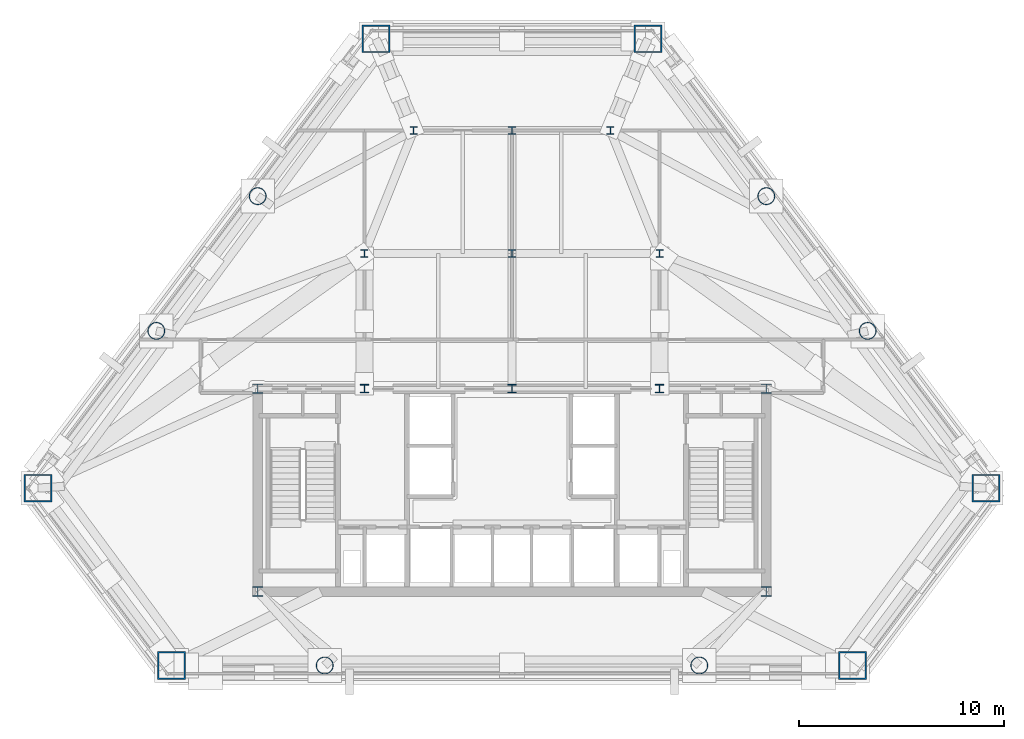
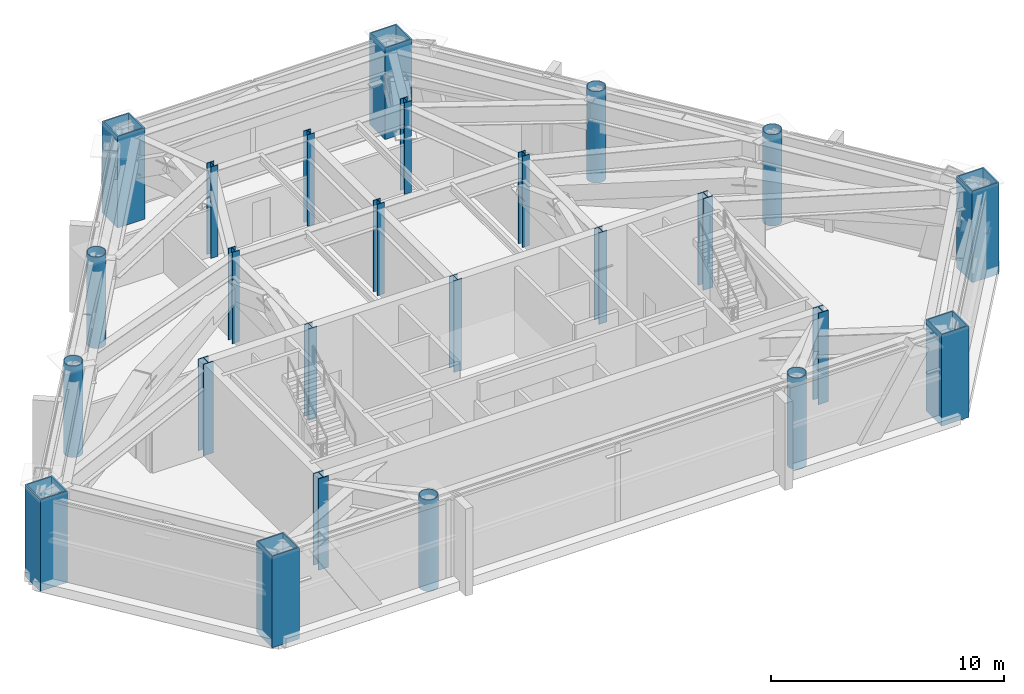
# One storey, part 1 of 9: 25 columns.
"""IFC4 building model written with IfcOpenShell, lengths in metres."""

from ifc_helpers import new_model, si_unit, direction, frame, origin, origin_2d, place, context, subcontext, project, spatial, hollow_rectangle, hollow_circle, i_section, extrude, material, material_profile, profile_set, type_object, element, save


model = new_model("IFC4")

# Units and contexts
model_context = context("Model", 3, precision=1e-05, world=origin(), true_north=direction((0.0, 1.0)))
body_context = subcontext(model_context, "Body", "Model", "MODEL_VIEW")
ifc_project = project(units=[si_unit("LENGTHUNIT", "METRE"), si_unit("AREAUNIT", "SQUARE_METRE"), si_unit("VOLUMEUNIT", "CUBIC_METRE"), si_unit("PLANEANGLEUNIT", "RADIAN"), si_unit("MASSUNIT", "GRAM", prefix="KILO")], contexts=[model_context])

# Site, building, storey
site_placement = place(None, origin())
site = spatial("IfcSite", under=ifc_project, at=site_placement, CompositionType="ELEMENT")
building_placement = place(site_placement, origin())
building = spatial("IfcBuilding", under=site, at=building_placement, Name="Talgorran Terracotta Tower", CompositionType="ELEMENT")
storey_placement = place(building_placement, frame((0.0, 0.0, 90.0)))
storey = spatial("IfcBuildingStorey", under=building, at=storey_placement, Name="L23", CompositionType="ELEMENT", Elevation=90.0)

# Columns
ifc_material_1 = material(Name="Steel S355 (300PLUS)", Category="steel")
ifc_material_profile_1 = material_profile(ifc_material_1, i_section(OverallWidth=0.35009765625, OverallDepth=0.366943359375, WebThickness=0.02490234375, FlangeThickness=0.031982421875, at=origin_2d()), Name="350WC258")
ifc_profile_set_1 = profile_set([ifc_material_profile_1], Name="Steel S355 (300PLUS)")
column_type_1 = type_object("IfcColumnType", Name="COL_350WC258", PredefinedType="COLUMN", material=ifc_profile_set_1)
for number, where, z_axis, x_axis, name in (
    (1, (-7.199951171875, 2.39990234375, 0.0), (0.0, 0.0, 1.0), (1.0, 0.0, 0.0), "L23 Interior Gravity Column IC1"),
    (2, (0.0, 2.39990234375, 0.0), (0.0, 0.0, 1.0), (1.0, 0.0, 0.0), "L23 Interior Gravity Column IC2"),
    (3, (7.199951171875, 2.39990234375, 0.0), (0.0, 0.0, 1.0), (1.0, 0.0, 0.0), "L23 Interior Gravity Column IC3"),
    (4, (-4.800048828125, 8.39990234375, 0.0), (0.0, 0.0, 1.0), (1.0, 0.0, 0.0), "L23 Interior Gravity Column IC4"),
    (5, (0.0, 8.39990234375, 0.0), (0.0, 0.0, 1.0), (1.0, 0.0, 0.0), "L23 Interior Gravity Column IC5"),
    (6, (4.800048828125, 8.39990234375, 0.0), (0.0, 0.0, 1.0), (1.0, 0.0, 0.0), "L23 Interior Gravity Column IC6"),
):
    element("IfcColumn", number, at=place(storey_placement, frame(where, z_axis=z_axis, x_axis=x_axis)), inside=storey, type_object=column_type_1, Name=name, PredefinedType="COLUMN", context=body_context, shape_type="SweptSolid", body=[
        extrude(i_section(OverallWidth=0.35009765625, OverallDepth=0.366943359375, WebThickness=0.02490234375, FlangeThickness=0.031982421875, at=origin_2d()), origin(), (0.0, 0.0, 1.0), 4.800048828125),
    ])
ifc_material_profile_2 = material_profile(ifc_material_1, i_section(OverallWidth=0.5, OverallDepth=0.48193359375, WebThickness=0.0400390625, FlangeThickness=0.044921875, at=origin_2d()), Name="500WC440")
ifc_profile_set_2 = profile_set([ifc_material_profile_2], Name="Steel S355 (300PLUS)")
column_type_2 = type_object("IfcColumnType", Name="COL_500WC440", PredefinedType="COLUMN", material=ifc_profile_set_2)
for number, where, z_axis, x_axis, name in (
    (7, (-12.39990234375, -14.10009765625, 0.0), (0.0, 0.0, 1.0), (1.0, 0.0, 0.0), "L23 Core Boundary Column CC1"),
    (8, (12.39990234375, -14.10009765625, 0.0), (0.0, 0.0, 1.0), (1.0, 0.0, 0.0), "L23 Core Boundary Column CC2"),
    (9, (12.39990234375, -4.199951171875, 0.0), (0.0, 0.0, 1.0), (1.0, 0.0, 0.0), "L23 Core Boundary Column CC3"),
    (10, (-12.39990234375, -4.199951171875, 0.0), (0.0, 0.0, 1.0), (1.0, 0.0, 0.0), "L23 Core Boundary Column CC4"),
):
    element("IfcColumn", number, at=place(storey_placement, frame(where, z_axis=z_axis, x_axis=x_axis)), inside=storey, type_object=column_type_2, Name=name, PredefinedType="COLUMN", context=body_context, shape_type="SweptSolid", body=[
        extrude(i_section(OverallWidth=0.5, OverallDepth=0.48193359375, WebThickness=0.0400390625, FlangeThickness=0.044921875, at=origin_2d()), origin(), (0.0, 0.0, 1.0), 4.800048828125),
    ])
ifc_material_2 = material(Name="Steel Grade 350 (350L0)", Category="steel")
ifc_material_profile_3 = material_profile(ifc_material_2, hollow_rectangle(XDim=1.35009765625, YDim=1.35009765625, WallThickness=0.06494140625, at=origin_2d()), Name="CFT1350X1350X65")
ifc_profile_set_3 = profile_set([ifc_material_profile_3], Name="Steel Grade 350 (350L0)")
column_type_3 = type_object("IfcColumnType", Name="COL_CFT_1350", PredefinedType="COLUMN", material=ifc_profile_set_3)
for number, where, z_axis, x_axis, name in (
    (11, (-23.119384765625, -9.0517578125, 0.0), (0.0, 0.0, 1.0), (1.0, 0.0, 0.0), "L23 Corner CFT Mega-Column MC1"),
    (12, (-16.61376953125, -17.7021484375, 0.0), (0.0, 0.0, 1.0), (1.0, 0.0, 0.0), "L23 Corner CFT Mega-Column MC2"),
    (13, (16.61376953125, -17.7021484375, 0.0), (0.0, 0.0, 1.0), (1.0, 0.0, 0.0), "L23 Corner CFT Mega-Column MC3"),
    (14, (23.119384765625, -9.0517578125, 0.0), (0.0, 0.0, 1.0), (1.0, 0.0, 0.0), "L23 Corner CFT Mega-Column MC4"),
    (15, (6.636962890625, 12.864990234375, 0.0), (0.0, 0.0, 1.0), (1.0, 0.0, 0.0), "L23 Corner CFT Mega-Column MC5"),
    (16, (-6.636962890625, 12.864990234375, 0.0), (0.0, 0.0, 1.0), (1.0, 0.0, 0.0), "L23 Corner CFT Mega-Column MC6"),
):
    element("IfcColumn", number, at=place(storey_placement, frame(where, z_axis=z_axis, x_axis=x_axis)), inside=storey, type_object=column_type_3, Name=name, PredefinedType="COLUMN", context=body_context, shape_type="SweptSolid", body=[
        extrude(hollow_rectangle(XDim=1.35009765625, YDim=1.35009765625, WallThickness=0.06494140625, at=origin_2d()), origin(), (0.0, 0.0, 1.0), 4.800048828125),
    ])
ifc_material_profile_4 = material_profile(ifc_material_2, hollow_circle(Radius=0.425048828125, WallThickness=0.0380859375, at=origin_2d()), Name="CHS850X38")
ifc_profile_set_4 = profile_set([ifc_material_profile_4], Name="Steel Grade 350 (350L0)")
column_type_4 = type_object("IfcColumnType", Name="COL_CHS_850", PredefinedType="COLUMN", material=ifc_profile_set_4)
for number, where, z_axis, x_axis, name in (
    (17, (-9.1376953125, -17.7021484375, 0.0), (0.0, 0.0, 1.0), (1.0, 0.0, 0.0), "L23 Facet Perimeter Column FC1"),
    (18, (9.1376953125, -17.7021484375, 0.0), (0.0, 0.0, 1.0), (1.0, 0.0, 0.0), "L23 Facet Perimeter Column FC2"),
    (19, (17.3505859375, -1.380859375, 0.0), (0.0, 0.0, 1.0), (1.0, 0.0, 0.0), "L23 Facet Perimeter Column FC3"),
    (20, (12.406005859375, 5.194091796875, 0.0), (0.0, 0.0, 1.0), (1.0, 0.0, 0.0), "L23 Facet Perimeter Column FC4"),
    (21, (-12.406005859375, 5.194091796875, 0.0), (0.0, 0.0, 1.0), (1.0, 0.0, 0.0), "L23 Facet Perimeter Column FC5"),
    (22, (-17.3505859375, -1.380859375, 0.0), (0.0, 0.0, 1.0), (1.0, 0.0, 0.0), "L23 Facet Perimeter Column FC6"),
):
    element("IfcColumn", number, at=place(storey_placement, frame(where, z_axis=z_axis, x_axis=x_axis)), inside=storey, type_object=column_type_4, Name=name, PredefinedType="COLUMN", context=body_context, shape_type="SweptSolid", body=[
        extrude(hollow_circle(Radius=0.425048828125, WallThickness=0.0380859375, at=origin_2d()), origin(), (0.0, 0.0, 1.0), 4.800048828125),
    ])
ifc_material_profile_5 = material_profile(ifc_material_1, i_section(OverallWidth=0.405029296875, OverallDepth=0.4140625, WebThickness=0.02197265625, FlangeThickness=0.031982421875, at=origin_2d()), Name="400WC270")
ifc_profile_set_5 = profile_set([ifc_material_profile_5], Name="Steel S355 (300PLUS)")
column_type_5 = type_object("IfcColumnType", Name="COL_PIL_400WC270", PredefinedType="PILASTER", material=ifc_profile_set_5)
for number, where, z_axis, x_axis, name in (
    (23, (-7.199951171875, -4.199951171875, 0.0), (0.0, 0.0, 1.0), (1.0, 0.0, 0.0), "L23 Core Shear Pilaster CP1"),
    (24, (0.0, -4.199951171875, 0.0), (0.0, 0.0, 1.0), (1.0, 0.0, 0.0), "L23 Core Shear Pilaster CP2"),
    (25, (7.199951171875, -4.199951171875, 0.0), (0.0, 0.0, 1.0), (1.0, 0.0, 0.0), "L23 Core Shear Pilaster CP3"),
):
    element("IfcColumn", number, at=place(storey_placement, frame(where, z_axis=z_axis, x_axis=x_axis)), inside=storey, type_object=column_type_5, Name=name, PredefinedType="PILASTER", context=body_context, shape_type="SweptSolid", body=[
        extrude(i_section(OverallWidth=0.405029296875, OverallDepth=0.4140625, WebThickness=0.02197265625, FlangeThickness=0.031982421875, at=origin_2d()), origin(), (0.0, 0.0, 1.0), 4.800048828125),
    ])

save(model, "model.ifc")
